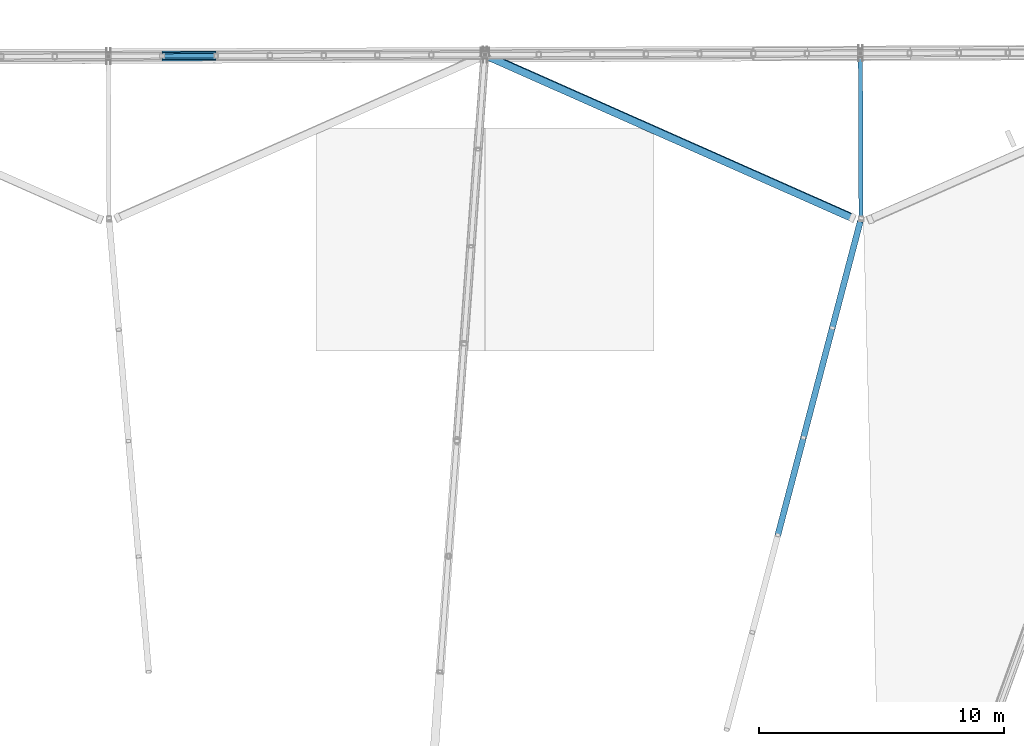
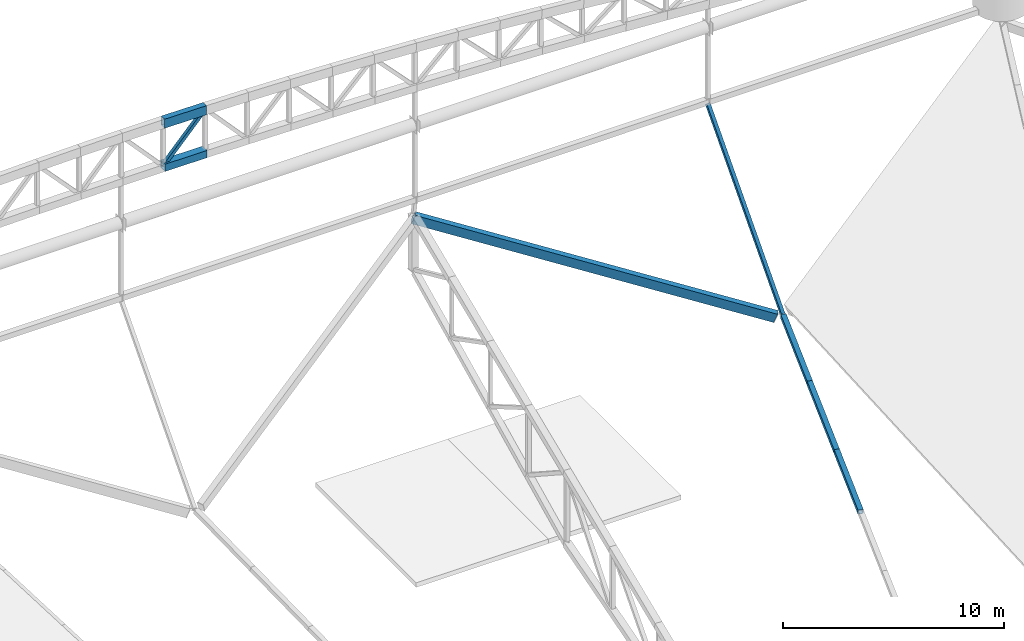
# One storey, part 88 of 188: 7 members, 1 beam.
"""IFC4 building model written with IfcOpenShell, lengths in metres."""

from ifc_helpers import new_model, si_unit, direction, frame, origin, origin_2d, place, context, subcontext, project, spatial, hollow_rectangle, extrude, material, material_profile, profile_set, type_object, element, save


model = new_model("IFC4")

# Units and contexts
model_context = context("Model", 3, precision=1e-05, world=origin(), true_north=direction((0.0, 1.0)))
body_context = subcontext(model_context, "Body", "Model", "MODEL_VIEW")
ifc_project = project(units=[si_unit("LENGTHUNIT", "METRE"), si_unit("AREAUNIT", "SQUARE_METRE"), si_unit("VOLUMEUNIT", "CUBIC_METRE"), si_unit("PLANEANGLEUNIT", "RADIAN"), si_unit("MASSUNIT", "GRAM", prefix="KILO")], contexts=[model_context])

# Site, building, storey
site_placement = place(None, origin())
site = spatial("IfcSite", under=ifc_project, at=site_placement, CompositionType="ELEMENT")
building_placement = place(site_placement, origin())
building = spatial("IfcBuilding", under=site, at=building_placement, Name="Meseta Stadium", CompositionType="ELEMENT")
storey_placement = place(building_placement, frame((0.0, 0.0, 30.0)))
storey = spatial("IfcBuildingStorey", under=building, at=storey_placement, Name="ROOF", CompositionType="ELEMENT", Elevation=30.0)

# Member
ifc_material_1 = material(Name="Steel S355", Category="steel")
ifc_material_profile_1 = material_profile(ifc_material_1, hollow_rectangle(XDim=0.300048828125, YDim=0.5, WallThickness=0.01611328125, at=origin_2d()), Name="RHS 500x300x16")
ifc_profile_set_1 = profile_set([ifc_material_profile_1], Name="Steel S355")
member_type_1 = type_object("IfcMemberType", Name="RHS 500x300x16 arch top chord", PredefinedType="CHORD", material=ifc_profile_set_1)
member_1_placement = place(storey_placement, frame((-3.3037109375, 105.23974609375, 20.2724609375), z_axis=(-0.999936992352, -0.003782583193, 0.010568982451), x_axis=(0.003782794475, -0.999992845207, 0.0)))
element("IfcMember", 1, at=member_1_placement, inside=storey, type_object=member_type_1, Name="GABLE ARCH GA-N top chord", PredefinedType="CHORD", context=body_context, shape_type="SweptSolid", body=[
    extrude(hollow_rectangle(XDim=0.300048828125, YDim=0.5, WallThickness=0.01611328125, at=origin_2d()), origin(), (0.0, 0.0, 1.0), 2.194580078125),
])

# Beam
ifc_material_2 = material(Name="Steel S355", Category="steel")
ifc_material_profile_2 = material_profile(ifc_material_2, hollow_rectangle(XDim=0.300048828125, YDim=0.5, WallThickness=0.01611328125, at=origin_2d()), Name="RHS 500x300x16")
ifc_profile_set_2 = profile_set([ifc_material_profile_2], Name="Steel S355")
beam_type = type_object("IfcBeamType", Name="RHS 500x300x16 rim ring beam", PredefinedType="BEAM", material=ifc_profile_set_2)
beam_placement = place(storey_placement, frame((22.644287109375, 98.63623046875, 3.734375), z_axis=(-0.847168236299, 0.375703326713, 0.375703326713), x_axis=(-0.428529417104, -0.901179089687, -0.06510596737)))
element("IfcBeam", 2, at=beam_placement, inside=storey, type_object=beam_type, Name="RIM RING BEAM 18", PredefinedType="BEAM", context=body_context, shape_type="SweptSolid", body=[
    extrude(hollow_rectangle(XDim=0.300048828125, YDim=0.5, WallThickness=0.01611328125, at=origin_2d()), origin(), (0.0, 0.0, 1.0), 17.75439453125),
])

# Members
ifc_material_3 = material(Name="Steel S355", Category="steel")
ifc_material_profile_3 = material_profile(ifc_material_3, hollow_rectangle(XDim=0.179931640625, YDim=0.179931640625, WallThickness=0.00634765625, at=origin_2d()), Name="SHS 180x180x6.3")
ifc_profile_set_3 = profile_set([ifc_material_profile_3], Name="Steel S355")
member_type_2 = type_object("IfcMemberType", Name="SHS 180x180x6.3 arch diagonal", PredefinedType="BRACE", material=ifc_profile_set_3)
member_2_placement = place(storey_placement, frame((-3.3037109375, 105.23974609375, 20.2724609375), z_axis=(-0.678654105879, -0.00256722737, -0.734453547828), x_axis=(0.003782794475, -0.999992845207, 0.0)))
element("IfcMember", 3, at=member_2_placement, inside=storey, type_object=member_type_2, Name="GABLE ARCH GA-N diagonal", PredefinedType="BRACE", context=body_context, shape_type="SweptSolid", body=[
    extrude(hollow_rectangle(XDim=0.179931640625, YDim=0.179931640625, WallThickness=0.00634765625, at=origin_2d()), origin(), (0.0, 0.0, 1.0), 3.2333984375),
])
ifc_material_4 = material(Name="Steel S355", Category="steel")
ifc_material_profile_4 = material_profile(ifc_material_4, hollow_rectangle(XDim=0.179931640625, YDim=0.179931640625, WallThickness=0.00634765625, at=origin_2d()), Name="SHS 180x180x6.3")
ifc_profile_set_4 = profile_set([ifc_material_profile_4], Name="Steel S355")
member_type_3 = type_object("IfcMemberType", Name="SHS 180x180x6.3 hanger", PredefinedType="STRUT", material=ifc_profile_set_4)
member_3_placement = place(storey_placement, frame((22.97412109375, 105.3408203125, 11.300048828125), z_axis=(0.002555029561, -0.665512888586, -0.74638198461), x_axis=(0.999992630397, 0.003839160406, 0.0)))
element("IfcMember", 4, at=member_3_placement, inside=storey, type_object=member_type_3, Name="GABLE ARCH GA-N hanger RT-17", PredefinedType="STRUT", context=body_context, shape_type="SweptSolid", body=[
    extrude(hollow_rectangle(XDim=0.179931640625, YDim=0.179931640625, WallThickness=0.00634765625, at=origin_2d()), origin(), (0.0, 0.0, 1.0), 10.128662109375),
])
ifc_material_5 = material(Name="Steel S355", Category="steel")
ifc_material_profile_5 = material_profile(ifc_material_5, hollow_rectangle(XDim=0.25, YDim=0.25, WallThickness=0.010009765625, at=origin_2d()), Name="SHS 250x250x10")
ifc_profile_set_5 = profile_set([ifc_material_profile_5], Name="Steel S355")
member_type_4 = type_object("IfcMemberType", Name="SHS 250x250x10 top chord", PredefinedType="CHORD", material=ifc_profile_set_5)
member_4_placement = place(storey_placement, frame((19.606201171875, 85.686279296875, 1.8740234375), z_axis=(0.25175622822, 0.9578399689, 0.138424692634), x_axis=(-0.967150765776, 0.254203454457, 0.0)))
element("IfcMember", 5, at=member_4_placement, inside=storey, type_object=member_type_4, Name="ROOF TRUSS RT-17 top chord", PredefinedType="CHORD", context=body_context, shape_type="SweptSolid", body=[
    extrude(hollow_rectangle(XDim=0.25, YDim=0.25, WallThickness=0.010009765625, at=origin_2d()), origin(), (0.0, 0.0, 1.0), 4.144775390625),
])
member_5_placement = place(storey_placement, frame((20.649658203125, 89.65625, 2.44775390625), z_axis=(0.251688192856, 0.957858431028, 0.138420662059), x_axis=(-0.967168857221, 0.25413461319, 0.0)))
element("IfcMember", 6, at=member_5_placement, inside=storey, type_object=member_type_4, Name="ROOF TRUSS RT-17 top chord", PredefinedType="CHORD", context=body_context, shape_type="SweptSolid", body=[
    extrude(hollow_rectangle(XDim=0.25, YDim=0.25, WallThickness=0.010009765625, at=origin_2d()), origin(), (0.0, 0.0, 1.0), 4.668701171875),
])
member_6_placement = place(storey_placement, frame((21.82470703125, 94.128173828125, 3.093994140625), z_axis=(0.251763284142, 0.957835851284, 0.138440350884), x_axis=(-0.967148745494, 0.254211140764, 0.0)))
element("IfcMember", 7, at=member_6_placement, inside=storey, type_object=member_type_4, Name="ROOF TRUSS RT-17 top chord", PredefinedType="CHORD", context=body_context, shape_type="SweptSolid", body=[
    extrude(hollow_rectangle(XDim=0.25, YDim=0.25, WallThickness=0.010009765625, at=origin_2d()), origin(), (0.0, 0.0, 1.0), 4.55859375),
])
ifc_material_6 = material(Name="Steel S355", Category="steel")
ifc_material_profile_6 = material_profile(ifc_material_6, hollow_rectangle(XDim=0.39990234375, YDim=0.39990234375, WallThickness=0.01416015625, at=origin_2d()), Name="SHS 400x400x14.2")
ifc_profile_set_6 = profile_set([ifc_material_profile_6], Name="Steel S355")
member_type_5 = type_object("IfcMemberType", Name="SHS 400x400x14.2 arch bottom chord", PredefinedType="CHORD", material=ifc_profile_set_6)
member_7_placement = place(storey_placement, frame((-3.3037109375, 105.23974609375, 17.88525390625), z_axis=(-0.999976747485, -0.00378273358, 0.00567410037), x_axis=(0.003782794475, -0.999992845207, 0.0)))
element("IfcMember", 8, at=member_7_placement, inside=storey, type_object=member_type_5, Name="GABLE ARCH GA-N bottom chord", PredefinedType="CHORD", context=body_context, shape_type="SweptSolid", body=[
    extrude(hollow_rectangle(XDim=0.39990234375, YDim=0.39990234375, WallThickness=0.01416015625, at=origin_2d()), origin(), (0.0, 0.0, 1.0), 2.1943359375),
])

save(model, "model.ifc")
